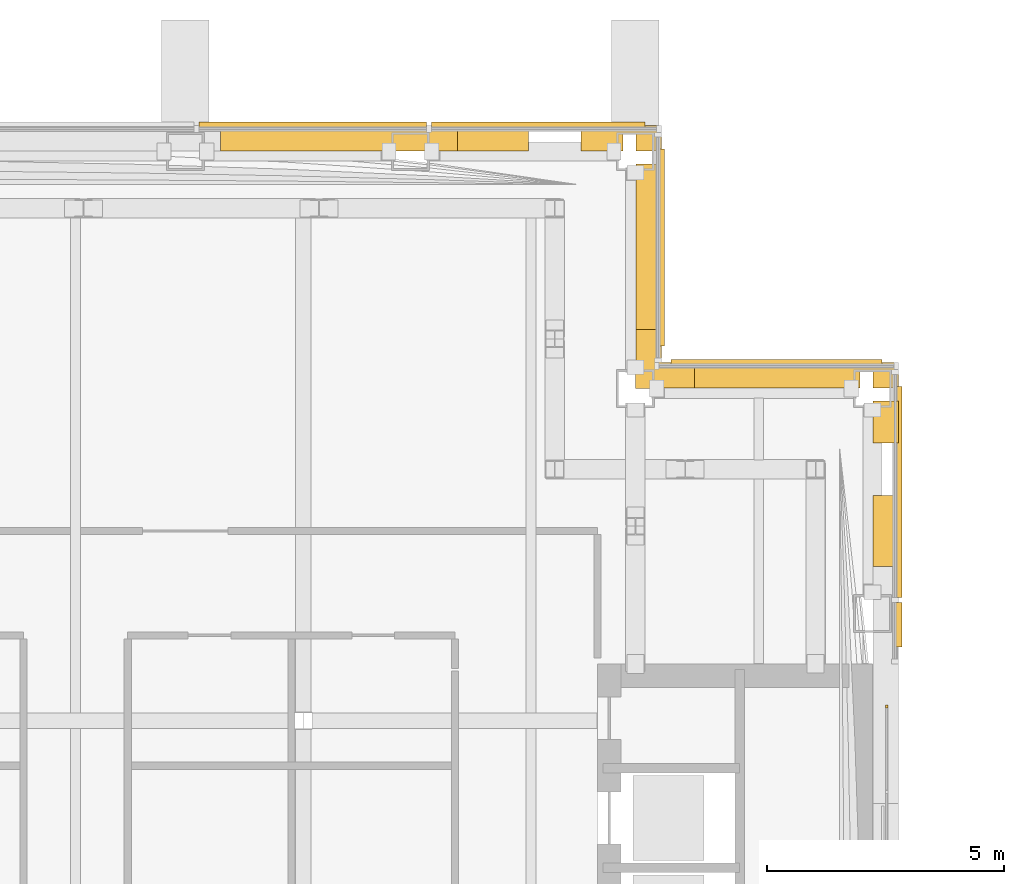
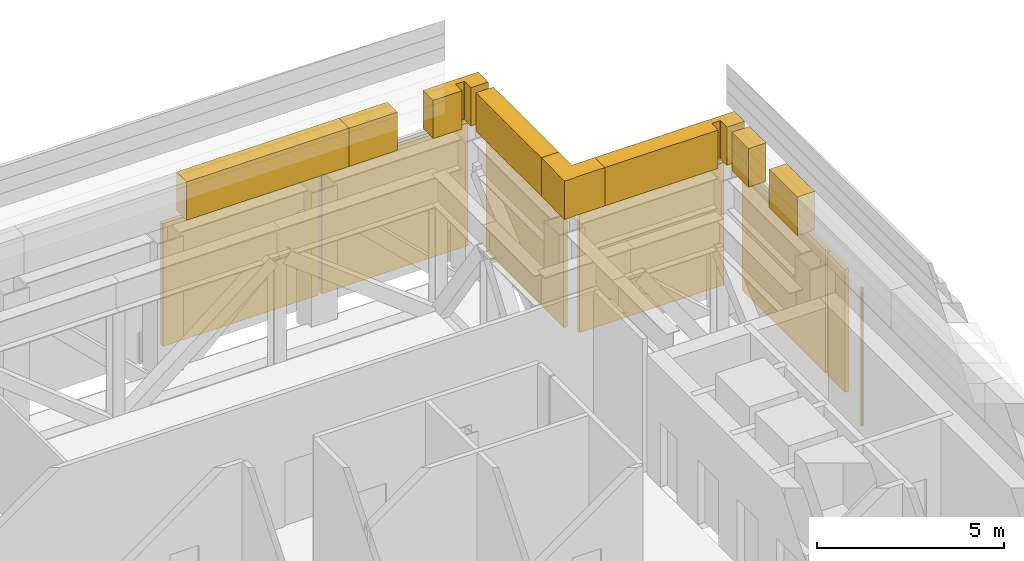
# One storey, part 28 of 29: 15 coverings.
"""IFC4 building model written with IfcOpenShell, lengths in metres."""

import ifcopenshell
import ifcopenshell.guid

model = None  # the IFC model being written
_history = None  # IfcOwnerHistory: only IFC2X3 demands one
_inside = {}  # id of a spatial element -> (the spatial element, [elements in it])
_under = {}  # id of a project, library or spatial element -> (it, [spatial elements below it])
_declared = {}  # id of a project -> (the project, [libraries it declares])
_typed = {}  # id of a type object -> (the type object, [elements of that type])
_made_of = {}  # id of a material, layer set ... -> (it, [elements and type objects made of it])


def new_model(schema):
    """Start an empty IFC model of exactly this schema.

    Asked for "IFC4X3", IfcOpenShell would pick the latest addendum, in which some entities
    have other attributes; the version numbers below select the first issue.
    IFC2X3 requires an IfcOwnerHistory on every rooted entity: one is made here for all.
    """
    global model, _history
    if schema == "IFC4X3":
        model = ifcopenshell.file(schema_version=(4, 3, 0, 0))
    else:
        model = ifcopenshell.file(schema=schema)
    _inside.clear()
    _under.clear()
    _declared.clear()
    _typed.clear()
    _made_of.clear()
    _history = None
    if model.schema == "IFC2X3":
        org = make("IfcOrganization", Name="unknown")
        user = make(
            "IfcPersonAndOrganization",
            ThePerson=make("IfcPerson", FamilyName="unknown"),
            TheOrganization=org,
        )
        app = make(
            "IfcApplication",
            ApplicationDeveloper=org,
            Version="unknown",
            ApplicationFullName="unknown",
            ApplicationIdentifier="unknown",
        )
        _history = make(
            "IfcOwnerHistory",
            OwningUser=user,
            OwningApplication=app,
            ChangeAction="ADDED",
            CreationDate=0,
        )
    return model


def make(cls, **values):
    """One entity of the class cls with the attributes given. An attribute that is None is left unset."""
    return model.create_entity(
        cls, **{name: value for name, value in values.items() if value is not None}
    )


def rooted(cls, **values):
    """An entity with a GlobalId (a new one), such as an element, a storey or a relation."""
    return make(cls, GlobalId=ifcopenshell.guid.new(), OwnerHistory=_history, **values)


def si_unit(unit_type, name, prefix=None):
    """IfcSIUnit, for example si_unit("LENGTHUNIT", "METRE", prefix="MILLI")."""
    return make("IfcSIUnit", UnitType=unit_type, Prefix=prefix, Name=name)


def assignment(units):
    """IfcUnitAssignment: the units of a project."""
    return None if units is None else make("IfcUnitAssignment", Units=units)


def point(xyz):
    """IfcCartesianPoint."""
    return None if xyz is None else make("IfcCartesianPoint", Coordinates=xyz)


def direction(xyz):
    """IfcDirection."""
    return None if xyz is None else make("IfcDirection", DirectionRatios=xyz)


def frame(location, z_axis=None, x_axis=None):
    """IfcAxis2Placement3D, a coordinate frame: its origin and axes. An axis left out is left unset."""
    return make(
        "IfcAxis2Placement3D",
        Location=point(location),
        Axis=direction(z_axis),
        RefDirection=direction(x_axis),
    )


def frame_2d(location, x_axis=None):
    """IfcAxis2Placement2D, a coordinate frame in the plane: its origin and x axis."""
    return make(
        "IfcAxis2Placement2D", Location=point(location), RefDirection=direction(x_axis)
    )


def origin():
    """The frame at (0, 0, 0) with its axes left unset."""
    return frame((0.0, 0.0, 0.0))


def origin_2d():
    """The frame at (0, 0) in the plane with its x axis left unset."""
    return frame_2d((0.0, 0.0))


def place(relative_to, where):
    """IfcLocalPlacement: puts the frame where relative to a parent placement (None: the world)."""
    return make(
        "IfcLocalPlacement", PlacementRelTo=relative_to, RelativePlacement=where
    )


def context(
    kind, dimensions, precision=None, world=None, true_north=None, identifier=None
):
    """IfcGeometricRepresentationContext, for example the 3D "Model" context."""
    return make(
        "IfcGeometricRepresentationContext",
        ContextIdentifier=identifier,
        ContextType=kind,
        CoordinateSpaceDimension=dimensions,
        Precision=precision,
        WorldCoordinateSystem=world,
        TrueNorth=true_north,
    )


def subcontext(parent, identifier, kind, view, scale=None):
    """IfcGeometricRepresentationSubContext, for example "Body" below "Model"."""
    return make(
        "IfcGeometricRepresentationSubContext",
        ContextIdentifier=identifier,
        ContextType=kind,
        ParentContext=parent,
        TargetScale=scale,
        TargetView=view,
    )


def project(units=None, contexts=None):
    """IfcProject with its units and contexts."""
    return rooted(
        "IfcProject",
        Name="project",
        RepresentationContexts=contexts,
        UnitsInContext=assignment(units),
    )


def spatial(cls, under=None, at=None, **own):
    """A site, building, storey or space (cls), placed at a placement, below another one or the project."""
    s = rooted(cls, ObjectPlacement=at, **own)
    if under is not None:
        _under.setdefault(under.id(), (under, []))[1].append(s)
    return s


def polyline(points):
    """IfcPolyline through the points."""
    return make("IfcPolyline", Points=[point(p) for p in points])


def profile(cls, at=None, kind="AREA", **sizes):
    """A parametric profile (cls). Its sizes go by their IFC names, for example OverallWidth=200.0."""
    return make(cls, ProfileType=kind, Position=at, **sizes)


def rectangle(**sizes):
    """IfcRectangleProfileDef."""
    return profile("IfcRectangleProfileDef", **sizes)


def outline(outer, holes=None, kind="AREA"):
    """IfcArbitraryClosedProfileDef: a profile drawn as a closed curve; with holes, ...WithVoids."""
    if holes is None:
        return make("IfcArbitraryClosedProfileDef", ProfileType=kind, OuterCurve=outer)
    return make(
        "IfcArbitraryProfileDefWithVoids",
        ProfileType=kind,
        OuterCurve=outer,
        InnerCurves=holes,
    )


def extrude(swept, where, along, depth):
    """IfcExtrudedAreaSolid: the profile swept, set in the frame where, extruded along a direction by depth."""
    return make(
        "IfcExtrudedAreaSolid",
        SweptArea=swept,
        Position=where,
        ExtrudedDirection=direction(along),
        Depth=depth,
    )


def shape(context_of_items, identifier, shape_type, items):
    """IfcShapeRepresentation: the items that make up one representation, for example the "Body"."""
    return make(
        "IfcShapeRepresentation",
        ContextOfItems=context_of_items,
        RepresentationIdentifier=identifier,
        RepresentationType=shape_type,
        Items=items,
    )


def material(Name=None, Category=None):
    """IfcMaterial."""
    return make("IfcMaterial", Name=Name, Category=Category)


def made_of(thing, what):
    """Note that an element or type object is made of a material, layer set ...; save() writes the relation."""
    if what is not None:
        _made_of.setdefault(what.id(), (what, []))[1].append(thing)
    return thing


def type_object(cls, material=None, **own):
    """A type object (cls), such as IfcWallType, which elements share."""
    return made_of(rooted(cls, **own), material)


def element(
    cls,
    number,
    at=None,
    inside=None,
    cuts=None,
    type_object=None,
    material=None,
    context=None,
    identifier="Body",
    shape_type=None,
    held_by="IfcProductDefinitionShape",
    body=None,
    shapes=None,
    **own,
):
    """One element of the class cls, such as IfcWall. Its Tag is "e" and its number.

    at: its placement. inside: the storey or other place that contains it. cuts: it is an
    opening in that element (IfcRelVoidsElement). A single representation is given by context,
    identifier, shape_type and body (its items); several are given by shapes. held_by: the class
    of the entity that holds the representations. save() writes the other relations.
    """
    e = rooted(cls, Tag="e%d" % number, ObjectPlacement=at, **own)
    if body is not None:
        shapes = [shape(context, identifier, shape_type, body)]
    if shapes is not None:
        e.Representation = make(held_by, Representations=shapes)
    if inside is not None:
        _inside.setdefault(inside.id(), (inside, []))[1].append(e)
    if cuts is not None:
        rooted(
            "IfcRelVoidsElement", RelatingBuildingElement=cuts, RelatedOpeningElement=e
        )
    if type_object is not None:
        _typed.setdefault(type_object.id(), (type_object, []))[1].append(e)
    return made_of(e, material)


def aggregate(whole, parts):
    """IfcRelAggregates: a whole, such as a stair, and the parts it consists of."""
    return rooted("IfcRelAggregates", RelatingObject=whole, RelatedObjects=parts)


def save(model, path):
    """Write the relations noted so far, then the file.

    IfcRelAggregates (storeys below a building ...), IfcRelContainedInSpatialStructure (elements
    in a storey), IfcRelDefinesByType, IfcRelAssociatesMaterial and IfcRelDeclares: one each for
    every whole, place, type object, material and project.
    """
    for whole, parts in _under.values():
        aggregate(whole, parts)
    for where, things in _inside.values():
        rooted(
            "IfcRelContainedInSpatialStructure",
            RelatedElements=things,
            RelatingStructure=where,
        )
    for kind, things in _typed.values():
        rooted("IfcRelDefinesByType", RelatedObjects=things, RelatingType=kind)
    for what, things in _made_of.values():
        rooted("IfcRelAssociatesMaterial", RelatedObjects=things, RelatingMaterial=what)
    for by, libraries in _declared.values():
        rooted("IfcRelDeclares", RelatingContext=by, RelatedDefinitions=libraries)
    model.write(path)


model = new_model("IFC4")

# Units and contexts
model_context = context("Model", 3, precision=1e-05, world=origin(), true_north=direction((0.0, 1.0)))
body_context = subcontext(model_context, "Body", "Model", "MODEL_VIEW")
ifc_project = project(units=[si_unit("LENGTHUNIT", "METRE"), si_unit("AREAUNIT", "SQUARE_METRE"), si_unit("VOLUMEUNIT", "CUBIC_METRE"), si_unit("PLANEANGLEUNIT", "RADIAN"), si_unit("MASSUNIT", "GRAM", prefix="KILO")], contexts=[model_context])

# Site, building, storey
site_placement = place(None, origin())
site = spatial("IfcSite", under=ifc_project, at=site_placement, CompositionType="ELEMENT")
building_placement = place(site_placement, origin())
building = spatial("IfcBuilding", under=site, at=building_placement, Name="Cobrizo Arcos Hotel Tower", CompositionType="ELEMENT")
storey_placement = place(building_placement, frame((0.0, 0.0, 186.5)))
storey = spatial("IfcBuildingStorey", under=building, at=storey_placement, Name="L48", CompositionType="ELEMENT", Elevation=186.5)

# Coverings
ifc_material_1 = material(Name="Aluminium 6063-T6 anodised pale", Category="aluminium")
covering_type_1 = type_object("IfcCoveringType", Name="LF-1 setback skirt", PredefinedType="CLADDING", material=ifc_material_1)
covering_1_placement = place(storey_placement, frame((0.0, 0.0, 4.5)))
element("IfcCovering", 1, at=covering_1_placement, inside=storey, type_object=covering_type_1, Name="Setback skirt L48", PredefinedType="CLADDING", context=body_context, shape_type="SweptSolid", body=[
    extrude(outline(polyline([(7.85009765625, 21.610107421875), (12.85009765625, 21.610107421875), (12.85009765625, 22.14990234375), (7.85009765625, 22.14990234375), (7.85009765625, 21.610107421875)])), origin(), (0.0, 0.0, 1.0), 1.25),
])
covering_2_placement = place(storey_placement, frame((0.0, 0.0, 4.5)))
element("IfcCovering", 2, at=covering_2_placement, inside=storey, type_object=covering_type_1, Name="Setback skirt L48", PredefinedType="CLADDING", context=body_context, shape_type="SweptSolid", body=[
    extrude(outline(polyline([(16.6083984375, 17.1943359375), (16.60009765625, 17.18310546875), (16.60009765625, 16.60009765625), (16.93310546875, 16.60009765625), (16.9443359375, 16.6083984375), (16.9453125, 16.60888671875), (16.9462890625, 16.609130859375), (16.947021484375, 16.609619140625), (16.947998046875, 16.60986328125), (16.948974609375, 16.610107421875), (16.949951171875, 16.610107421875), (17.85009765625, 16.610107421875), (17.85009765625, 17.14990234375), (17.14990234375, 17.14990234375), (17.14990234375, 17.85009765625), (16.610107421875, 17.85009765625), (16.610107421875, 17.199951171875), (16.610107421875, 17.198974609375), (16.60986328125, 17.197998046875), (16.609619140625, 17.197021484375), (16.609130859375, 17.1962890625), (16.60888671875, 17.1953125), (16.6083984375, 17.1943359375)])), origin(), (0.0, 0.0, 1.0), 1.25),
])
covering_3_placement = place(storey_placement, frame((0.0, 0.0, 4.5)))
element("IfcCovering", 3, at=covering_3_placement, inside=storey, type_object=covering_type_1, Name="Setback skirt L48", PredefinedType="CLADDING", context=body_context, shape_type="SweptSolid", body=[
    extrude(outline(polyline([(16.610107421875, 21.340087890625), (16.610107421875, 17.85009765625), (17.14990234375, 17.85009765625), (17.14990234375, 21.340087890625), (16.610107421875, 21.340087890625)])), origin(), (0.0, 0.0, 1.0), 1.25),
])
covering_4_placement = place(storey_placement, frame((0.0, 0.0, 4.5)))
element("IfcCovering", 4, at=covering_4_placement, inside=storey, type_object=covering_type_1, Name="Setback skirt L48", PredefinedType="CLADDING", context=body_context, shape_type="SweptSolid", body=[
    extrude(outline(polyline([(17.14990234375, 21.610107421875), (17.14990234375, 22.14990234375), (15.449951171875, 22.14990234375), (15.449951171875, 21.610107421875), (16.340087890625, 21.610107421875), (16.340087890625, 21.949951171875), (16.340087890625, 21.950927734375), (16.340087890625, 21.951904296875), (16.34033203125, 21.952880859375), (16.3408203125, 21.953857421875), (16.34130859375, 21.95458984375), (16.341796875, 21.95556640625), (16.34228515625, 21.956298828125), (16.343017578125, 21.95703125), (16.34375, 21.957763671875), (16.344482421875, 21.958251953125), (16.34521484375, 21.958740234375), (16.34619140625, 21.959228515625), (16.34716796875, 21.959716796875), (16.347900390625, 21.959716796875), (16.34912109375, 21.9599609375), (16.35009765625, 21.9599609375), (16.60009765625, 21.9599609375), (16.60107421875, 21.9599609375), (16.60205078125, 21.959716796875), (16.602783203125, 21.959716796875), (16.603759765625, 21.959228515625), (16.604736328125, 21.958740234375), (16.605712890625, 21.958251953125), (16.606201171875, 21.957763671875), (16.607177734375, 21.95703125), (16.607666015625, 21.956298828125), (16.6083984375, 21.95556640625), (16.60888671875, 21.95458984375), (16.609130859375, 21.953857421875), (16.609619140625, 21.952880859375), (16.60986328125, 21.951904296875), (16.610107421875, 21.950927734375), (16.610107421875, 21.949951171875), (16.610107421875, 21.610107421875), (17.14990234375, 21.610107421875)])), origin(), (0.0, 0.0, 1.0), 1.25),
])
covering_5_placement = place(storey_placement, frame((0.0, 0.0, 4.5)))
element("IfcCovering", 5, at=covering_5_placement, inside=storey, type_object=covering_type_1, Name="Setback skirt L48", PredefinedType="CLADDING", context=body_context, shape_type="SweptSolid", body=[
    extrude(outline(polyline([(14.35009765625, 21.610107421875), (14.35009765625, 22.14990234375), (12.85009765625, 22.14990234375), (12.85009765625, 21.610107421875), (14.35009765625, 21.610107421875)])), origin(), (0.0, 0.0, 1.0), 1.25),
])
covering_6_placement = place(storey_placement, frame((0.0, 0.0, 4.5)))
element("IfcCovering", 6, at=covering_6_placement, inside=storey, type_object=covering_type_1, Name="Setback skirt L48", PredefinedType="CLADDING", context=body_context, shape_type="SweptSolid", body=[
    extrude(outline(polyline([(22.14990234375, 17.14990234375), (17.85009765625, 17.14990234375), (17.85009765625, 16.610107421875), (21.340087890625, 16.610107421875), (21.340087890625, 16.949951171875), (21.340087890625, 16.950927734375), (21.340087890625, 16.951904296875), (21.34033203125, 16.952880859375), (21.3408203125, 16.953857421875), (21.34130859375, 16.95458984375), (21.341796875, 16.95556640625), (21.34228515625, 16.956298828125), (21.343017578125, 16.95703125), (21.34375, 16.957763671875), (21.344482421875, 16.958251953125), (21.34521484375, 16.958740234375), (21.34619140625, 16.959228515625), (21.34716796875, 16.959716796875), (21.347900390625, 16.959716796875), (21.34912109375, 16.9599609375), (21.35009765625, 16.9599609375), (21.60009765625, 16.9599609375), (21.60107421875, 16.9599609375), (21.60205078125, 16.959716796875), (21.602783203125, 16.959716796875), (21.603759765625, 16.959228515625), (21.604736328125, 16.958740234375), (21.605712890625, 16.958251953125), (21.606201171875, 16.957763671875), (21.607177734375, 16.95703125), (21.607666015625, 16.956298828125), (21.6083984375, 16.95556640625), (21.60888671875, 16.95458984375), (21.609130859375, 16.953857421875), (21.609619140625, 16.952880859375), (21.60986328125, 16.951904296875), (21.610107421875, 16.950927734375), (21.610107421875, 16.949951171875), (21.610107421875, 16.610107421875), (22.14990234375, 16.610107421875), (22.14990234375, 17.14990234375)])), origin(), (0.0, 0.0, 1.0), 1.25),
])
covering_7_placement = place(storey_placement, frame((0.0, 0.0, 4.5)))
element("IfcCovering", 7, at=covering_7_placement, inside=storey, type_object=covering_type_1, Name="Setback skirt L48", PredefinedType="CLADDING", context=body_context, shape_type="SweptSolid", body=[
    extrude(outline(polyline([(22.14990234375, 14.35009765625), (21.610107421875, 14.35009765625), (21.610107421875, 12.85009765625), (22.14990234375, 12.85009765625), (22.14990234375, 14.35009765625)])), origin(), (0.0, 0.0, 1.0), 1.25),
])
covering_8_placement = place(storey_placement, frame((0.0, 0.0, 4.5)))
element("IfcCovering", 8, at=covering_8_placement, inside=storey, type_object=covering_type_1, Name="Setback skirt L48", PredefinedType="CLADDING", context=body_context, shape_type="SweptSolid", body=[
    extrude(outline(polyline([(22.14990234375, 16.340087890625), (21.610107421875, 16.340087890625), (21.610107421875, 15.449951171875), (22.14990234375, 15.449951171875), (22.14990234375, 16.340087890625)])), origin(), (0.0, 0.0, 1.0), 1.25),
])
ifc_material_2 = material(Name="Aluminium 6063-T6 anodised bronze", Category="aluminium")
covering_type_2 = type_object("IfcCoveringType", Name="LV-1 plant louvre band", PredefinedType="CLADDING", material=ifc_material_2)
covering_9_placement = place(storey_placement, frame((22.155029296875, 11.621337890625, 0.25), z_axis=(0.0, 0.0, 1.0), x_axis=(0.0, 1.0, 0.0)))
element("IfcCovering", 9, at=covering_9_placement, inside=storey, type_object=covering_type_2, Name="louvre band 1677", PredefinedType="CLADDING", context=body_context, shape_type="SweptSolid", body=[
    extrude(rectangle(XDim=0.94287109375, YDim=0.1201171875, at=origin_2d()), origin(), (0.0, 0.0, 1.0), 4.0),
])
covering_10_placement = place(storey_placement, frame((22.155029296875, 14.42138671875, 0.25), z_axis=(0.0, 0.0, 1.0), x_axis=(0.0, 1.0, 0.0)))
element("IfcCovering", 10, at=covering_10_placement, inside=storey, type_object=covering_type_2, Name="louvre band 1678", PredefinedType="CLADDING", context=body_context, shape_type="SweptSolid", body=[
    extrude(rectangle(XDim=4.45703125, YDim=0.1201171875, at=origin_2d()), origin(), (0.0, 0.0, 1.0), 4.0),
])
covering_11_placement = place(storey_placement, frame((19.574951171875, 17.155029296875, 0.25), z_axis=(0.0, 0.0, 1.0), x_axis=(-1.0, 0.0, 0.0)))
element("IfcCovering", 11, at=covering_11_placement, inside=storey, type_object=covering_type_2, Name="louvre band 1679", PredefinedType="CLADDING", context=body_context, shape_type="SweptSolid", body=[
    extrude(rectangle(XDim=4.449951171875, YDim=0.1201171875, at=origin_2d()), origin(), (0.0, 0.0, 1.0), 4.0),
])
covering_12_placement = place(storey_placement, frame((17.155029296875, 19.574951171875, 0.25), z_axis=(0.0, 0.0, 1.0), x_axis=(0.0, 1.0, 0.0)))
element("IfcCovering", 12, at=covering_12_placement, inside=storey, type_object=covering_type_2, Name="louvre band 1680", PredefinedType="CLADDING", context=body_context, shape_type="SweptSolid", body=[
    extrude(rectangle(XDim=4.14990234375, YDim=0.1201171875, at=origin_2d()), origin(), (0.0, 0.0, 1.0), 4.0),
])
covering_13_placement = place(storey_placement, frame((14.550048828125, 22.155029296875, 0.25), z_axis=(0.0, 0.0, 1.0), x_axis=(-1.0, 0.0, 0.0)))
element("IfcCovering", 13, at=covering_13_placement, inside=storey, type_object=covering_type_2, Name="louvre band 1681", PredefinedType="CLADDING", context=body_context, shape_type="SweptSolid", body=[
    extrude(rectangle(XDim=4.5, YDim=0.1201171875, at=origin_2d()), origin(), (0.0, 0.0, 1.0), 4.0),
])
covering_14_placement = place(storey_placement, frame((9.800048828125, 22.155029296875, 0.25), z_axis=(0.0, 0.0, 1.0), x_axis=(-1.0, 0.0, 0.0)))
element("IfcCovering", 14, at=covering_14_placement, inside=storey, type_object=covering_type_2, Name="louvre band 1682", PredefinedType="CLADDING", context=body_context, shape_type="SweptSolid", body=[
    extrude(rectangle(XDim=4.800048828125, YDim=0.1201171875, at=origin_2d()), origin(), (0.0, 0.0, 1.0), 4.0),
])
covering_type_3 = type_object("IfcCoveringType", Name="RS-2 rainscreen rib 60x50", PredefinedType="CLADDING", material=ifc_material_1)
covering_15_placement = place(storey_placement, frame((21.89990234375, 9.89990234375, 0.0), z_axis=(0.0, 0.0, 1.0), x_axis=(0.0, 1.0, 0.0)))
element("IfcCovering", 15, at=covering_15_placement, inside=storey, type_object=covering_type_3, Name="Rainscreen rib 70", PredefinedType="CLADDING", context=body_context, shape_type="SweptSolid", body=[
    extrude(rectangle(XDim=0.06005859375, YDim=0.050048828125, at=origin_2d()), origin(), (0.0, 0.0, 1.0), 4.5),
])

save(model, "model.ifc")
